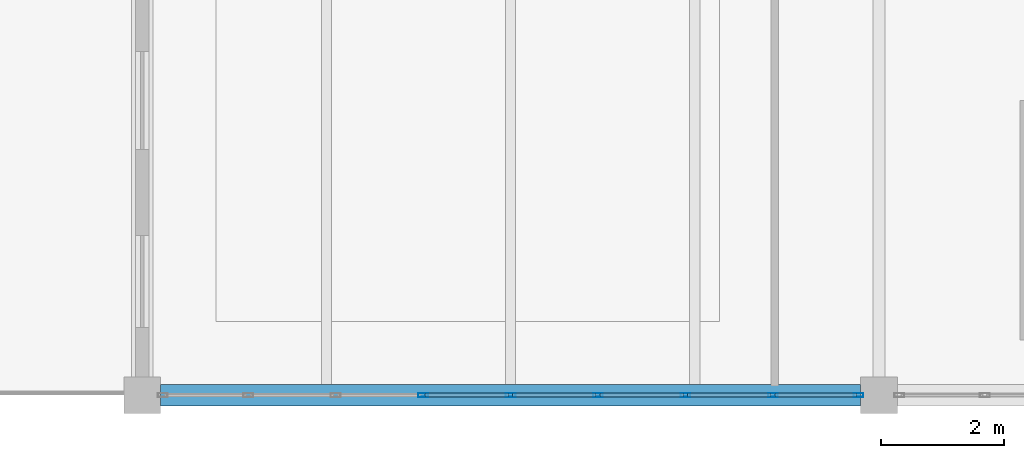
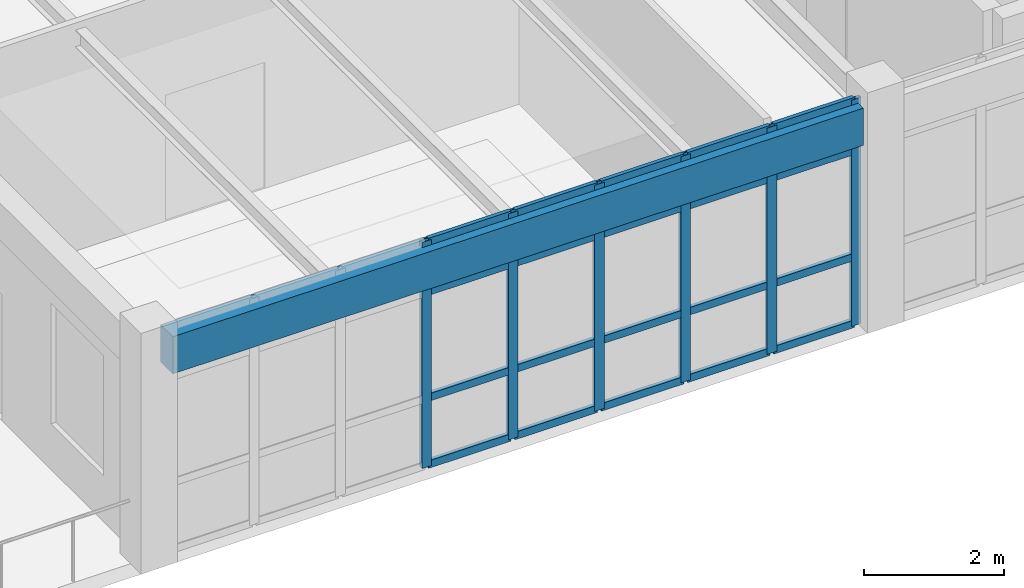
# One storey, part 4 of 28: 26 members, 1 beam, 1 element without a shape of its own.
"""IFC4 building model written with IfcOpenShell, lengths in metres."""

from ifc_helpers import new_model, si_unit, direction, frame, origin, origin_2d, place, context, subcontext, project, spatial, rectangle, hollow_rectangle, extrude, material, layer, layer_set, material_profile, profile_set, type_object, element, aggregate, save


model = new_model("IFC4")

# Units and contexts
model_context = context("Model", 3, precision=1e-05, world=origin(), true_north=direction((0.0, 1.0)))
body_context = subcontext(model_context, "Body", "Model", "MODEL_VIEW")
ifc_project = project(units=[si_unit("LENGTHUNIT", "METRE"), si_unit("AREAUNIT", "SQUARE_METRE"), si_unit("VOLUMEUNIT", "CUBIC_METRE"), si_unit("PLANEANGLEUNIT", "RADIAN"), si_unit("MASSUNIT", "GRAM", prefix="KILO")], contexts=[model_context])

# Site, building, storey
site_placement = place(None, origin())
site = spatial("IfcSite", under=ifc_project, at=site_placement, CompositionType="ELEMENT")
building_placement = place(site_placement, origin())
building = spatial("IfcBuilding", under=site, at=building_placement, Name="Pandanus Reach Market Hall", CompositionType="ELEMENT")
storey_placement = place(building_placement, frame((0.0, 0.0, 18.60009765625)))
storey = spatial("IfcBuildingStorey", under=building, at=storey_placement, Name="L04", CompositionType="ELEMENT", Elevation=18.60009765625)

# Beam
ifc_material_1 = material(Name="Concrete N40 (40 MPa)", Category="concrete")
ifc_material_profile_1 = material_profile(ifc_material_1, rectangle(XDim=0.35009765625, YDim=0.64990234375, at=origin_2d()), Name="RC350x650", Category="LoadBearing")
ifc_profile_set_1 = profile_set([ifc_material_profile_1], Name="Concrete N40 (40 MPa)")
beam_type = type_object("IfcBeamType", Name="BM-RC350-E", PredefinedType="SPANDREL", material=ifc_profile_set_1)
beam_placement = place(storey_placement, frame((156.298095703125, 28.800048828125, 3.534912109375), z_axis=(1.0, 0.0, 0.0), x_axis=(0.0, 1.0, 0.0)))
element("IfcBeam", 1, at=beam_placement, inside=storey, type_object=beam_type, Name="Framing beam BM-RC350-E L04.610", PredefinedType="SPANDREL", context=body_context, shape_type="SweptSolid", body=[
    extrude(rectangle(XDim=0.35009765625, YDim=0.64990234375, at=origin_2d()), origin(), (0.0, 0.0, 1.0), 11.40380859375),
])

# Curtain wall, members
ifc_material_2 = material(Name="Bronze anodised aluminium and low-E glass", Category="aluminium")
ifc_layer = layer(ifc_material_2, 0.159912109375, Name="CW-35")
ifc_layer_set = layer_set([ifc_layer], Name="Bronze anodised aluminium and low-E glass")
curtain_wall_type = type_object("IfcCurtainWallType", Name="CW-35", PredefinedType="NOTDEFINED", material=ifc_layer_set)
curtain_wall_placement = place(storey_placement, origin())
curtain_wall = element("IfcCurtainWall", 2, at=curtain_wall_placement, inside=storey, type_object=curtain_wall_type, Name="Glazed curtain wall CW-35 CW-0127", PredefinedType="NOTDEFINED")
ifc_material_3 = material(Name="Bronze anodised aluminium", Category="aluminium")
ifc_material_profile_2 = material_profile(ifc_material_3, hollow_rectangle(XDim=0.06494140625, YDim=0.159912109375, WallThickness=0.00390625, at=origin_2d()), Name="ALU65x160", Category="LoadBearing")
ifc_profile_set_2 = profile_set([ifc_material_profile_2], Name="Bronze anodised aluminium")
member_type_1 = type_object("IfcMemberType", Name="CW-M1", PredefinedType="MULLION", material=ifc_profile_set_2)
member_1_placement = place(storey_placement, frame((160.574951171875, 28.800048828125, 0.0), z_axis=(0.0, 0.0, 1.0), x_axis=(0.0, 1.0, 0.0)))
member_1 = element("IfcMember", 3, at=member_1_placement, type_object=member_type_1, Name="CW-35 mullion 4", PredefinedType="MULLION", context=body_context, shape_type="SweptSolid", body=[
    extrude(hollow_rectangle(XDim=0.06494140625, YDim=0.159912109375, WallThickness=0.00390625, at=origin_2d()), origin(), (0.0, 0.0, 1.0), 3.949951171875),
])
member_2_placement = place(storey_placement, frame((162.0, 28.800048828125, 0.0), z_axis=(0.0, 0.0, 1.0), x_axis=(0.0, 1.0, 0.0)))
member_2 = element("IfcMember", 4, at=member_2_placement, type_object=member_type_1, Name="CW-35 mullion 5", PredefinedType="MULLION", context=body_context, shape_type="SweptSolid", body=[
    extrude(hollow_rectangle(XDim=0.06494140625, YDim=0.159912109375, WallThickness=0.00390625, at=origin_2d()), origin(), (0.0, 0.0, 1.0), 3.949951171875),
])
member_3_placement = place(storey_placement, frame((163.425048828125, 28.800048828125, 0.0), z_axis=(0.0, 0.0, 1.0), x_axis=(0.0, 1.0, 0.0)))
member_3 = element("IfcMember", 5, at=member_3_placement, type_object=member_type_1, Name="CW-35 mullion 6", PredefinedType="MULLION", context=body_context, shape_type="SweptSolid", body=[
    extrude(hollow_rectangle(XDim=0.06494140625, YDim=0.159912109375, WallThickness=0.00390625, at=origin_2d()), origin(), (0.0, 0.0, 1.0), 3.949951171875),
])
member_4_placement = place(storey_placement, frame((164.85009765625, 28.800048828125, 0.0), z_axis=(0.0, 0.0, 1.0), x_axis=(0.0, 1.0, 0.0)))
member_4 = element("IfcMember", 6, at=member_4_placement, type_object=member_type_1, Name="CW-35 mullion 7", PredefinedType="MULLION", context=body_context, shape_type="SweptSolid", body=[
    extrude(hollow_rectangle(XDim=0.06494140625, YDim=0.159912109375, WallThickness=0.00390625, at=origin_2d()), origin(), (0.0, 0.0, 1.0), 3.949951171875),
])
member_5_placement = place(storey_placement, frame((166.27490234375, 28.800048828125, 0.0), z_axis=(0.0, 0.0, 1.0), x_axis=(0.0, 1.0, 0.0)))
member_5 = element("IfcMember", 7, at=member_5_placement, type_object=member_type_1, Name="CW-35 mullion 8", PredefinedType="MULLION", context=body_context, shape_type="SweptSolid", body=[
    extrude(hollow_rectangle(XDim=0.06494140625, YDim=0.159912109375, WallThickness=0.00390625, at=origin_2d()), origin(), (0.0, 0.0, 1.0), 3.949951171875),
])
member_6_placement = place(storey_placement, frame((167.66748046875, 28.800048828125, 0.0), z_axis=(0.0, 0.0, 1.0), x_axis=(0.0, 1.0, 0.0)))
member_6 = element("IfcMember", 8, at=member_6_placement, type_object=member_type_1, Name="CW-35 mullion 9", PredefinedType="MULLION", context=body_context, shape_type="SweptSolid", body=[
    extrude(hollow_rectangle(XDim=0.06494140625, YDim=0.159912109375, WallThickness=0.00390625, at=origin_2d()), origin(), (0.0, 0.0, 1.0), 3.949951171875),
])
ifc_material_profile_3 = material_profile(ifc_material_3, hollow_rectangle(XDim=0.06494140625, YDim=0.1298828125, WallThickness=0.00390625, at=origin_2d()), Name="ALU65x130", Category="LoadBearing")
ifc_profile_set_3 = profile_set([ifc_material_profile_3], Name="Bronze anodised aluminium")
member_type_2 = type_object("IfcMemberType", Name="CW-T1", PredefinedType="USERDEFINED", material=ifc_profile_set_3)
member_7_placement = place(storey_placement, frame((160.607421875, 28.800048828125, 0.032470703125), z_axis=(1.0, 0.0, 0.0), x_axis=(0.0, 1.0, 0.0)))
member_7 = element("IfcMember", 9, at=member_7_placement, type_object=member_type_2, Name="CW-35 transom 4.1", ObjectType="TRANSOM", PredefinedType="USERDEFINED", context=body_context, shape_type="SweptSolid", body=[
    extrude(hollow_rectangle(XDim=0.06494140625, YDim=0.1298828125, WallThickness=0.00390625, at=origin_2d()), origin(), (0.0, 0.0, 1.0), 1.360107421875),
])
member_8_placement = place(storey_placement, frame((160.607421875, 28.800048828125, 1.199951171875), z_axis=(1.0, 0.0, 0.0), x_axis=(0.0, 1.0, 0.0)))
member_8 = element("IfcMember", 10, at=member_8_placement, type_object=member_type_2, Name="CW-35 transom 4.2", ObjectType="TRANSOM", PredefinedType="USERDEFINED", context=body_context, shape_type="SweptSolid", body=[
    extrude(hollow_rectangle(XDim=0.06494140625, YDim=0.1298828125, WallThickness=0.00390625, at=origin_2d()), origin(), (0.0, 0.0, 1.0), 1.360107421875),
])
member_9_placement = place(storey_placement, frame((160.607421875, 28.800048828125, 3.0498046875), z_axis=(1.0, 0.0, 0.0), x_axis=(0.0, 1.0, 0.0)))
member_9 = element("IfcMember", 11, at=member_9_placement, type_object=member_type_2, Name="CW-35 transom 4.3", ObjectType="TRANSOM", PredefinedType="USERDEFINED", context=body_context, shape_type="SweptSolid", body=[
    extrude(hollow_rectangle(XDim=0.06494140625, YDim=0.1298828125, WallThickness=0.00390625, at=origin_2d()), origin(), (0.0, 0.0, 1.0), 1.360107421875),
])
member_10_placement = place(storey_placement, frame((160.607421875, 28.800048828125, 3.91748046875), z_axis=(1.0, 0.0, 0.0), x_axis=(0.0, 1.0, 0.0)))
member_10 = element("IfcMember", 12, at=member_10_placement, type_object=member_type_2, Name="CW-35 transom 4.4", ObjectType="TRANSOM", PredefinedType="USERDEFINED", context=body_context, shape_type="SweptSolid", body=[
    extrude(hollow_rectangle(XDim=0.06494140625, YDim=0.1298828125, WallThickness=0.00390625, at=origin_2d()), origin(), (0.0, 0.0, 1.0), 1.360107421875),
])
member_11_placement = place(storey_placement, frame((162.032470703125, 28.800048828125, 0.032470703125), z_axis=(1.0, 0.0, 0.0), x_axis=(0.0, 1.0, 0.0)))
member_11 = element("IfcMember", 13, at=member_11_placement, type_object=member_type_2, Name="CW-35 transom 5.1", ObjectType="TRANSOM", PredefinedType="USERDEFINED", context=body_context, shape_type="SweptSolid", body=[
    extrude(hollow_rectangle(XDim=0.06494140625, YDim=0.1298828125, WallThickness=0.00390625, at=origin_2d()), origin(), (0.0, 0.0, 1.0), 1.360107421875),
])
member_12_placement = place(storey_placement, frame((162.032470703125, 28.800048828125, 1.199951171875), z_axis=(1.0, 0.0, 0.0), x_axis=(0.0, 1.0, 0.0)))
member_12 = element("IfcMember", 14, at=member_12_placement, type_object=member_type_2, Name="CW-35 transom 5.2", ObjectType="TRANSOM", PredefinedType="USERDEFINED", context=body_context, shape_type="SweptSolid", body=[
    extrude(hollow_rectangle(XDim=0.06494140625, YDim=0.1298828125, WallThickness=0.00390625, at=origin_2d()), origin(), (0.0, 0.0, 1.0), 1.360107421875),
])
member_13_placement = place(storey_placement, frame((162.032470703125, 28.800048828125, 3.0498046875), z_axis=(1.0, 0.0, 0.0), x_axis=(0.0, 1.0, 0.0)))
member_13 = element("IfcMember", 15, at=member_13_placement, type_object=member_type_2, Name="CW-35 transom 5.3", ObjectType="TRANSOM", PredefinedType="USERDEFINED", context=body_context, shape_type="SweptSolid", body=[
    extrude(hollow_rectangle(XDim=0.06494140625, YDim=0.1298828125, WallThickness=0.00390625, at=origin_2d()), origin(), (0.0, 0.0, 1.0), 1.360107421875),
])
member_14_placement = place(storey_placement, frame((162.032470703125, 28.800048828125, 3.91748046875), z_axis=(1.0, 0.0, 0.0), x_axis=(0.0, 1.0, 0.0)))
member_14 = element("IfcMember", 16, at=member_14_placement, type_object=member_type_2, Name="CW-35 transom 5.4", ObjectType="TRANSOM", PredefinedType="USERDEFINED", context=body_context, shape_type="SweptSolid", body=[
    extrude(hollow_rectangle(XDim=0.06494140625, YDim=0.1298828125, WallThickness=0.00390625, at=origin_2d()), origin(), (0.0, 0.0, 1.0), 1.360107421875),
])
member_15_placement = place(storey_placement, frame((163.45751953125, 28.800048828125, 0.032470703125), z_axis=(1.0, 0.0, 0.0), x_axis=(0.0, 1.0, 0.0)))
member_15 = element("IfcMember", 17, at=member_15_placement, type_object=member_type_2, Name="CW-35 transom 6.1", ObjectType="TRANSOM", PredefinedType="USERDEFINED", context=body_context, shape_type="SweptSolid", body=[
    extrude(hollow_rectangle(XDim=0.06494140625, YDim=0.1298828125, WallThickness=0.00390625, at=origin_2d()), origin(), (0.0, 0.0, 1.0), 1.35986328125),
])
member_16_placement = place(storey_placement, frame((163.45751953125, 28.800048828125, 1.199951171875), z_axis=(1.0, 0.0, 0.0), x_axis=(0.0, 1.0, 0.0)))
member_16 = element("IfcMember", 18, at=member_16_placement, type_object=member_type_2, Name="CW-35 transom 6.2", ObjectType="TRANSOM", PredefinedType="USERDEFINED", context=body_context, shape_type="SweptSolid", body=[
    extrude(hollow_rectangle(XDim=0.06494140625, YDim=0.1298828125, WallThickness=0.00390625, at=origin_2d()), origin(), (0.0, 0.0, 1.0), 1.35986328125),
])
member_17_placement = place(storey_placement, frame((163.45751953125, 28.800048828125, 3.0498046875), z_axis=(1.0, 0.0, 0.0), x_axis=(0.0, 1.0, 0.0)))
member_17 = element("IfcMember", 19, at=member_17_placement, type_object=member_type_2, Name="CW-35 transom 6.3", ObjectType="TRANSOM", PredefinedType="USERDEFINED", context=body_context, shape_type="SweptSolid", body=[
    extrude(hollow_rectangle(XDim=0.06494140625, YDim=0.1298828125, WallThickness=0.00390625, at=origin_2d()), origin(), (0.0, 0.0, 1.0), 1.35986328125),
])
member_18_placement = place(storey_placement, frame((163.45751953125, 28.800048828125, 3.91748046875), z_axis=(1.0, 0.0, 0.0), x_axis=(0.0, 1.0, 0.0)))
member_18 = element("IfcMember", 20, at=member_18_placement, type_object=member_type_2, Name="CW-35 transom 6.4", ObjectType="TRANSOM", PredefinedType="USERDEFINED", context=body_context, shape_type="SweptSolid", body=[
    extrude(hollow_rectangle(XDim=0.06494140625, YDim=0.1298828125, WallThickness=0.00390625, at=origin_2d()), origin(), (0.0, 0.0, 1.0), 1.35986328125),
])
member_19_placement = place(storey_placement, frame((164.882568359375, 28.800048828125, 0.032470703125), z_axis=(1.0, 0.0, 0.0), x_axis=(0.0, 1.0, 0.0)))
member_19 = element("IfcMember", 21, at=member_19_placement, type_object=member_type_2, Name="CW-35 transom 7.1", ObjectType="TRANSOM", PredefinedType="USERDEFINED", context=body_context, shape_type="SweptSolid", body=[
    extrude(hollow_rectangle(XDim=0.06494140625, YDim=0.1298828125, WallThickness=0.00390625, at=origin_2d()), origin(), (0.0, 0.0, 1.0), 1.35986328125),
])
member_20_placement = place(storey_placement, frame((164.882568359375, 28.800048828125, 1.199951171875), z_axis=(1.0, 0.0, 0.0), x_axis=(0.0, 1.0, 0.0)))
member_20 = element("IfcMember", 22, at=member_20_placement, type_object=member_type_2, Name="CW-35 transom 7.2", ObjectType="TRANSOM", PredefinedType="USERDEFINED", context=body_context, shape_type="SweptSolid", body=[
    extrude(hollow_rectangle(XDim=0.06494140625, YDim=0.1298828125, WallThickness=0.00390625, at=origin_2d()), origin(), (0.0, 0.0, 1.0), 1.35986328125),
])
member_21_placement = place(storey_placement, frame((164.882568359375, 28.800048828125, 3.0498046875), z_axis=(1.0, 0.0, 0.0), x_axis=(0.0, 1.0, 0.0)))
member_21 = element("IfcMember", 23, at=member_21_placement, type_object=member_type_2, Name="CW-35 transom 7.3", ObjectType="TRANSOM", PredefinedType="USERDEFINED", context=body_context, shape_type="SweptSolid", body=[
    extrude(hollow_rectangle(XDim=0.06494140625, YDim=0.1298828125, WallThickness=0.00390625, at=origin_2d()), origin(), (0.0, 0.0, 1.0), 1.35986328125),
])
member_22_placement = place(storey_placement, frame((164.882568359375, 28.800048828125, 3.91748046875), z_axis=(1.0, 0.0, 0.0), x_axis=(0.0, 1.0, 0.0)))
member_22 = element("IfcMember", 24, at=member_22_placement, type_object=member_type_2, Name="CW-35 transom 7.4", ObjectType="TRANSOM", PredefinedType="USERDEFINED", context=body_context, shape_type="SweptSolid", body=[
    extrude(hollow_rectangle(XDim=0.06494140625, YDim=0.1298828125, WallThickness=0.00390625, at=origin_2d()), origin(), (0.0, 0.0, 1.0), 1.35986328125),
])
member_23_placement = place(storey_placement, frame((166.3076171875, 28.800048828125, 0.032470703125), z_axis=(1.0, 0.0, 0.0), x_axis=(0.0, 1.0, 0.0)))
member_23 = element("IfcMember", 25, at=member_23_placement, type_object=member_type_2, Name="CW-35 transom 8.1", ObjectType="TRANSOM", PredefinedType="USERDEFINED", context=body_context, shape_type="SweptSolid", body=[
    extrude(hollow_rectangle(XDim=0.06494140625, YDim=0.1298828125, WallThickness=0.00390625, at=origin_2d()), origin(), (0.0, 0.0, 1.0), 1.327392578125),
])
member_24_placement = place(storey_placement, frame((166.3076171875, 28.800048828125, 1.199951171875), z_axis=(1.0, 0.0, 0.0), x_axis=(0.0, 1.0, 0.0)))
member_24 = element("IfcMember", 26, at=member_24_placement, type_object=member_type_2, Name="CW-35 transom 8.2", ObjectType="TRANSOM", PredefinedType="USERDEFINED", context=body_context, shape_type="SweptSolid", body=[
    extrude(hollow_rectangle(XDim=0.06494140625, YDim=0.1298828125, WallThickness=0.00390625, at=origin_2d()), origin(), (0.0, 0.0, 1.0), 1.327392578125),
])
member_25_placement = place(storey_placement, frame((166.3076171875, 28.800048828125, 3.0498046875), z_axis=(1.0, 0.0, 0.0), x_axis=(0.0, 1.0, 0.0)))
member_25 = element("IfcMember", 27, at=member_25_placement, type_object=member_type_2, Name="CW-35 transom 8.3", ObjectType="TRANSOM", PredefinedType="USERDEFINED", context=body_context, shape_type="SweptSolid", body=[
    extrude(hollow_rectangle(XDim=0.06494140625, YDim=0.1298828125, WallThickness=0.00390625, at=origin_2d()), origin(), (0.0, 0.0, 1.0), 1.327392578125),
])
member_26_placement = place(storey_placement, frame((166.3076171875, 28.800048828125, 3.91748046875), z_axis=(1.0, 0.0, 0.0), x_axis=(0.0, 1.0, 0.0)))
member_26 = element("IfcMember", 28, at=member_26_placement, type_object=member_type_2, Name="CW-35 transom 8.4", ObjectType="TRANSOM", PredefinedType="USERDEFINED", context=body_context, shape_type="SweptSolid", body=[
    extrude(hollow_rectangle(XDim=0.06494140625, YDim=0.1298828125, WallThickness=0.00390625, at=origin_2d()), origin(), (0.0, 0.0, 1.0), 1.327392578125),
])
aggregate(curtain_wall, [member_1, member_2, member_3, member_4, member_5, member_6, member_7, member_8, member_9, member_10, member_11, member_12, member_13, member_14, member_15, member_16, member_17, member_18, member_19, member_20, member_21, member_22, member_23, member_24, member_25, member_26])

save(model, "model.ifc")
